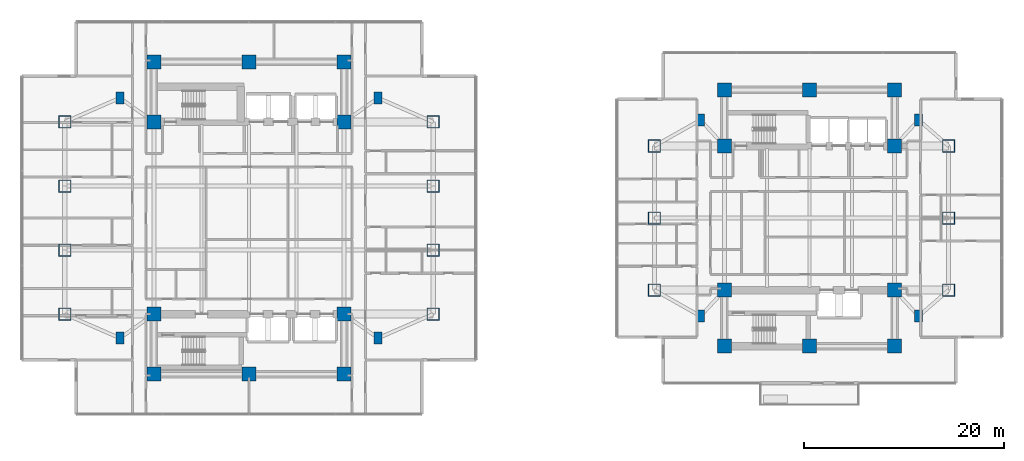
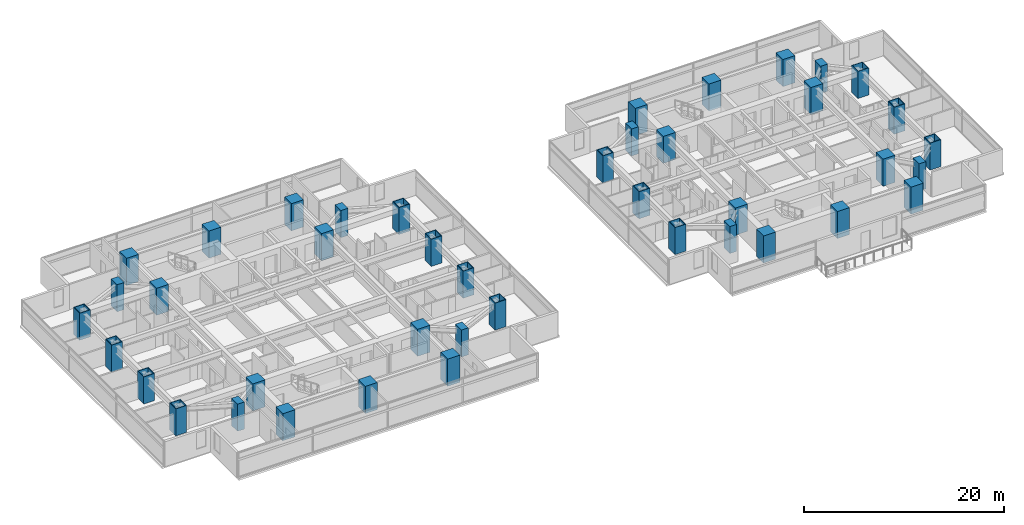
# One storey, part 1 of 27: 42 columns.
"""IFC4 building model written with IfcOpenShell, lengths in metres."""

from ifc_helpers import new_model, si_unit, direction, frame, origin, origin_2d, place, context, subcontext, project, spatial, rectangle, hollow_rectangle, extrude, material, material_profile, profile_set, type_object, element, save


model = new_model("IFC4")

# Units and contexts
model_context = context("Model", 3, precision=1e-05, world=origin(), true_north=direction((0.0, 1.0)))
body_context = subcontext(model_context, "Body", "Model", "MODEL_VIEW")
ifc_project = project(units=[si_unit("LENGTHUNIT", "METRE"), si_unit("AREAUNIT", "SQUARE_METRE"), si_unit("VOLUMEUNIT", "CUBIC_METRE"), si_unit("PLANEANGLEUNIT", "RADIAN"), si_unit("MASSUNIT", "GRAM", prefix="KILO")], contexts=[model_context])

# Site, building, storey
site_placement = place(None, origin())
site = spatial("IfcSite", under=ifc_project, at=site_placement, CompositionType="ELEMENT")
building_placement = place(site_placement, origin())
building = spatial("IfcBuilding", under=site, at=building_placement, Name="Mirazonda Arch Towers", CompositionType="ELEMENT")
storey_placement = place(building_placement, frame((0.0, 0.0, 42.199951171875)))
storey = spatial("IfcBuildingStorey", under=building, at=storey_placement, Name="L11", CompositionType="ELEMENT", Elevation=42.199951171875)

# Columns
ifc_material_1 = material(Name="Concrete C60/75", Category="concrete")
ifc_material_profile_1 = material_profile(ifc_material_1, rectangle(XDim=1.39990234375, YDim=1.39990234375, at=origin_2d()), Name="RC1400x1400")
ifc_profile_set_1 = profile_set([ifc_material_profile_1], Name="Concrete C60/75")
column_type_1 = type_object("IfcColumnType", Name="COL-INT-RC1400x1400", PredefinedType="COLUMN", material=ifc_profile_set_1)
for number, where, z_axis, x_axis, name in (
    (1, (11.0, 12.39990234375, 0.0), (0.0, 0.0, 1.0), (1.0, 0.0, 0.0), "L11 T1 Core Column 01"),
    (2, (20.5, 12.39990234375, 0.0), (0.0, 0.0, 1.0), (1.0, 0.0, 0.0), "L11 T1 Core Column 02"),
    (3, (30.0, 12.39990234375, 0.0), (0.0, 0.0, 1.0), (1.0, 0.0, 0.0), "L11 T1 Core Column 03"),
    (4, (11.0, 18.39990234375, 0.0), (0.0, 0.0, 1.0), (1.0, 0.0, 0.0), "L11 T1 Core Column 04"),
    (5, (30.0, 18.39990234375, 0.0), (0.0, 0.0, 1.0), (1.0, 0.0, 0.0), "L11 T1 Core Column 05"),
    (6, (11.0, 37.60009765625, 0.0), (0.0, 0.0, 1.0), (1.0, 0.0, 0.0), "L11 T1 Core Column 06"),
    (7, (30.0, 37.60009765625, 0.0), (0.0, 0.0, 1.0), (1.0, 0.0, 0.0), "L11 T1 Core Column 07"),
    (8, (11.0, 43.60009765625, 0.0), (0.0, 0.0, 1.0), (1.0, 0.0, 0.0), "L11 T1 Core Column 08"),
    (9, (20.5, 43.60009765625, 0.0), (0.0, 0.0, 1.0), (1.0, 0.0, 0.0), "L11 T1 Core Column 09"),
    (10, (30.0, 43.60009765625, 0.0), (0.0, 0.0, 1.0), (1.0, 0.0, 0.0), "L11 T1 Core Column 10"),
    (11, (68.0, 15.199951171875, 0.0), (0.0, 0.0, 1.0), (1.0, 0.0, 0.0), "L11 T2 Core Column 01"),
    (12, (76.5, 15.199951171875, 0.0), (0.0, 0.0, 1.0), (1.0, 0.0, 0.0), "L11 T2 Core Column 02"),
    (13, (85.0, 15.199951171875, 0.0), (0.0, 0.0, 1.0), (1.0, 0.0, 0.0), "L11 T2 Core Column 03"),
    (14, (68.0, 20.800048828125, 0.0), (0.0, 0.0, 1.0), (1.0, 0.0, 0.0), "L11 T2 Core Column 04"),
    (15, (85.0, 20.800048828125, 0.0), (0.0, 0.0, 1.0), (1.0, 0.0, 0.0), "L11 T2 Core Column 05"),
    (16, (68.0, 35.199951171875, 0.0), (0.0, 0.0, 1.0), (1.0, 0.0, 0.0), "L11 T2 Core Column 06"),
    (17, (85.0, 35.199951171875, 0.0), (0.0, 0.0, 1.0), (1.0, 0.0, 0.0), "L11 T2 Core Column 07"),
    (18, (68.0, 40.800048828125, 0.0), (0.0, 0.0, 1.0), (1.0, 0.0, 0.0), "L11 T2 Core Column 08"),
    (19, (76.5, 40.800048828125, 0.0), (0.0, 0.0, 1.0), (1.0, 0.0, 0.0), "L11 T2 Core Column 09"),
    (20, (85.0, 40.800048828125, 0.0), (0.0, 0.0, 1.0), (1.0, 0.0, 0.0), "L11 T2 Core Column 10"),
):
    element("IfcColumn", number, at=place(storey_placement, frame(where, z_axis=z_axis, x_axis=x_axis)), inside=storey, type_object=column_type_1, Name=name, PredefinedType="COLUMN", context=body_context, shape_type="SweptSolid", body=[
        extrude(rectangle(XDim=1.39990234375, YDim=1.39990234375, at=origin_2d()), origin(), (0.0, 0.0, 1.0), 3.300048828125),
    ])
ifc_material_2 = material(Name="Steel ASTM A572 Grade 50", Category="steel")
ifc_material_profile_2 = material_profile(ifc_material_2, hollow_rectangle(XDim=1.25, YDim=1.25, WallThickness=0.070068359375, at=origin_2d()), Name="BOX1250x1250x70")
ifc_profile_set_2 = profile_set([ifc_material_profile_2], Name="Steel ASTM A572 Grade 50")
column_type_2 = type_object("IfcColumnType", Name="MCOL-EXT-BOX1250x1250x70", PredefinedType="COLUMN", material=ifc_profile_set_2)
for number, where, z_axis, x_axis, name in (
    (21, (2.10009765625, 18.39990234375, 0.0), (0.0, 0.0, 1.0), (1.0, 0.0, 0.0), "L11 T1 Composite Mega-Column 01"),
    (22, (2.10009765625, 24.800048828125, 0.0), (0.0, 0.0, 1.0), (1.0, 0.0, 0.0), "L11 T1 Composite Mega-Column 02"),
    (23, (2.10009765625, 31.199951171875, 0.0), (0.0, 0.0, 1.0), (1.0, 0.0, 0.0), "L11 T1 Composite Mega-Column 03"),
    (24, (2.10009765625, 37.60009765625, 0.0), (0.0, 0.0, 1.0), (1.0, 0.0, 0.0), "L11 T1 Composite Mega-Column 04"),
    (25, (38.89990234375, 18.39990234375, 0.0), (0.0, 0.0, 1.0), (1.0, 0.0, 0.0), "L11 T1 Composite Mega-Column 05"),
    (26, (38.89990234375, 24.800048828125, 0.0), (0.0, 0.0, 1.0), (1.0, 0.0, 0.0), "L11 T1 Composite Mega-Column 06"),
    (27, (38.89990234375, 31.199951171875, 0.0), (0.0, 0.0, 1.0), (1.0, 0.0, 0.0), "L11 T1 Composite Mega-Column 07"),
    (28, (38.89990234375, 37.60009765625, 0.0), (0.0, 0.0, 1.0), (1.0, 0.0, 0.0), "L11 T1 Composite Mega-Column 08"),
    (29, (61.0, 20.800048828125, 0.0), (0.0, 0.0, 1.0), (1.0, 0.0, 0.0), "L11 T2 Composite Mega-Column 01"),
    (30, (61.0, 28.0, 0.0), (0.0, 0.0, 1.0), (1.0, 0.0, 0.0), "L11 T2 Composite Mega-Column 02"),
    (31, (61.0, 35.199951171875, 0.0), (0.0, 0.0, 1.0), (1.0, 0.0, 0.0), "L11 T2 Composite Mega-Column 03"),
    (32, (90.39990234375, 20.800048828125, 0.0), (0.0, 0.0, 1.0), (1.0, 0.0, 0.0), "L11 T2 Composite Mega-Column 04"),
    (33, (90.39990234375, 28.0, 0.0), (0.0, 0.0, 1.0), (1.0, 0.0, 0.0), "L11 T2 Composite Mega-Column 05"),
    (34, (90.39990234375, 35.199951171875, 0.0), (0.0, 0.0, 1.0), (1.0, 0.0, 0.0), "L11 T2 Composite Mega-Column 06"),
):
    element("IfcColumn", number, at=place(storey_placement, frame(where, z_axis=z_axis, x_axis=x_axis)), inside=storey, type_object=column_type_2, Name=name, PredefinedType="COLUMN", context=body_context, shape_type="SweptSolid", body=[
        extrude(hollow_rectangle(XDim=1.25, YDim=1.25, WallThickness=0.070068359375, at=origin_2d()), origin(), (0.0, 0.0, 1.0), 3.300048828125),
    ])
ifc_material_profile_3 = material_profile(ifc_material_1, rectangle(XDim=0.800048828125, YDim=1.199951171875, at=origin_2d()), Name="RC1200x800")
ifc_profile_set_3 = profile_set([ifc_material_profile_3], Name="Concrete C60/75")
column_type_3 = type_object("IfcColumnType", Name="PIL-EXT-RC1200x800", PredefinedType="PILASTER", material=ifc_profile_set_3)
for number, where, z_axis, x_axis, name in (
    (35, (7.60009765625, 16.0, 0.0), (0.0, 0.0, 1.0), (1.0, 0.0, 0.0), "L11 T1 Corner Pilaster 01"),
    (36, (33.39990234375, 16.0, 0.0), (0.0, 0.0, 1.0), (1.0, 0.0, 0.0), "L11 T1 Corner Pilaster 02"),
    (37, (7.60009765625, 40.0, 0.0), (0.0, 0.0, 1.0), (1.0, 0.0, 0.0), "L11 T1 Corner Pilaster 03"),
    (38, (33.39990234375, 40.0, 0.0), (0.0, 0.0, 1.0), (1.0, 0.0, 0.0), "L11 T1 Corner Pilaster 04"),
    (39, (65.60009765625, 18.199951171875, 0.0), (0.0, 0.0, 1.0), (1.0, 0.0, 0.0), "L11 T2 Corner Pilaster 01"),
    (40, (87.39990234375, 18.199951171875, 0.0), (0.0, 0.0, 1.0), (1.0, 0.0, 0.0), "L11 T2 Corner Pilaster 02"),
    (41, (65.60009765625, 37.800048828125, 0.0), (0.0, 0.0, 1.0), (1.0, 0.0, 0.0), "L11 T2 Corner Pilaster 03"),
    (42, (87.39990234375, 37.800048828125, 0.0), (0.0, 0.0, 1.0), (1.0, 0.0, 0.0), "L11 T2 Corner Pilaster 04"),
):
    element("IfcColumn", number, at=place(storey_placement, frame(where, z_axis=z_axis, x_axis=x_axis)), inside=storey, type_object=column_type_3, Name=name, PredefinedType="PILASTER", context=body_context, shape_type="SweptSolid", body=[
        extrude(rectangle(XDim=0.800048828125, YDim=1.199951171875, at=origin_2d()), origin(), (0.0, 0.0, 1.0), 3.300048828125),
    ])

save(model, "model.ifc")
